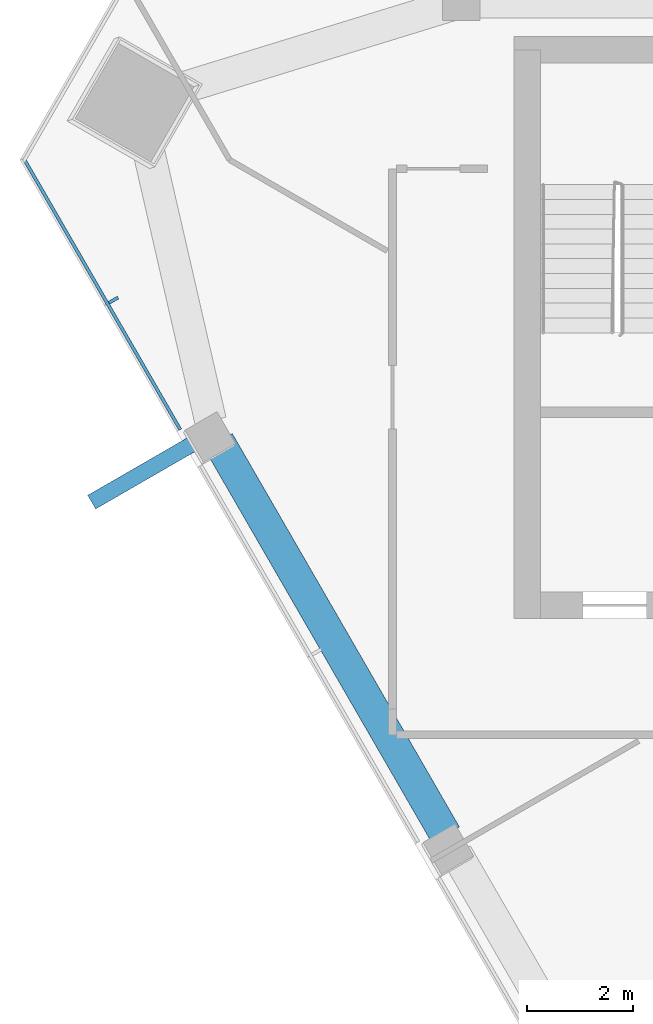
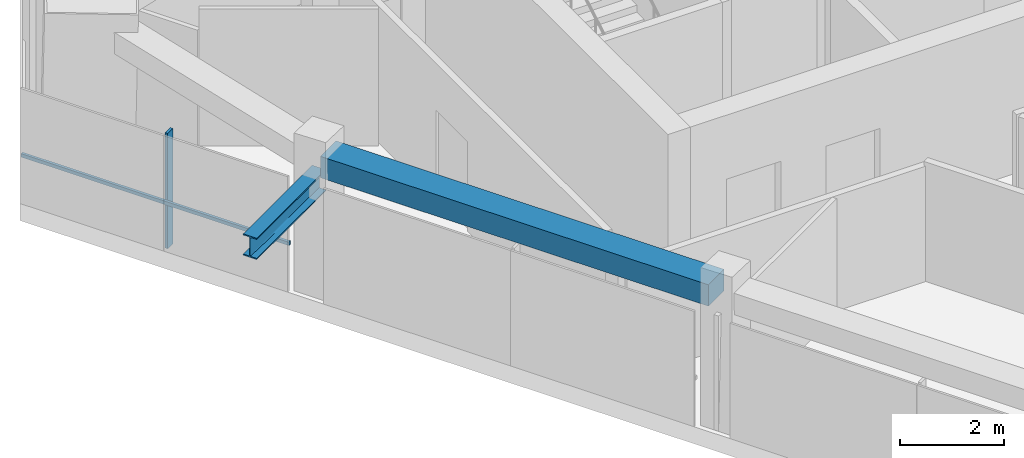
# One storey, part 3 of 9: 3 members, 1 beam, 1 element without a shape of its own.
"""IFC4 building model written with IfcOpenShell, lengths in metres."""

from ifc_helpers import new_model, si_unit, direction, frame, origin, origin_2d, place, context, subcontext, project, spatial, rectangle, i_section, extrude, material, layer, layer_set, material_profile, profile_set, type_object, element, aggregate, save


model = new_model("IFC4")

# Units and contexts
model_context = context("Model", 3, precision=1e-05, world=origin(), true_north=direction((0.0, 1.0)))
body_context = subcontext(model_context, "Body", "Model", "MODEL_VIEW")
ifc_project = project(units=[si_unit("LENGTHUNIT", "METRE"), si_unit("AREAUNIT", "SQUARE_METRE"), si_unit("VOLUMEUNIT", "CUBIC_METRE"), si_unit("PLANEANGLEUNIT", "RADIAN"), si_unit("MASSUNIT", "GRAM", prefix="KILO")], contexts=[model_context])

# Site, building, storey
site_placement = place(None, origin())
site = spatial("IfcSite", under=ifc_project, at=site_placement, CompositionType="ELEMENT")
building_placement = place(site_placement, origin())
building = spatial("IfcBuilding", under=site, at=building_placement, Name="Altiplano Prism Tower", CompositionType="ELEMENT")
storey_placement = place(building_placement, frame((0.0, 0.0, 309.39990234375)))
storey = spatial("IfcBuildingStorey", under=building, at=storey_placement, Name="L80", CompositionType="ELEMENT", Elevation=309.39990234375)

# Member
ifc_material_1 = material(Name="Steel S355", Category="steel")
ifc_material_profile_1 = material_profile(ifc_material_1, i_section(OverallWidth=0.300048828125, OverallDepth=0.5, WebThickness=0.014404296875, FlangeThickness=0.028076171875, FilletRadius=0.027099609375, at=origin_2d()), Name="Brace bracket HEB 500")
ifc_profile_set_1 = profile_set([ifc_material_profile_1], Name="Steel S355")
member_type_1 = type_object("IfcMemberType", Name="Brace bracket HEB 500", PredefinedType="STRUT", material=ifc_profile_set_1)
member_1_placement = place(storey_placement, frame((66.807861328125, 96.423095703125, 2.4365234375), z_axis=(-0.866029095148, -0.499993606316, 0.0), x_axis=(0.499993606316, -0.866029095148, 0.0)))
element("IfcMember", 1, at=member_1_placement, inside=storey, type_object=member_type_1, Name="Brace bracket 1.313", PredefinedType="STRUT", context=body_context, shape_type="SweptSolid", body=[
    extrude(i_section(OverallWidth=0.300048828125, OverallDepth=0.5, WebThickness=0.014404296875, FlangeThickness=0.028076171875, FilletRadius=0.027099609375, at=origin_2d()), origin(), (0.0, 0.0, 1.0), 2.64990234375),
])

# Curtain wall, members
ifc_material_2 = material(Name="Aluminium and glass", Category="aluminium")
ifc_layer = layer(ifc_material_2, 0.303955078125)
ifc_layer_set = layer_set([ifc_layer], Name="Aluminium and glass")
curtain_wall_type = type_object("IfcCurtainWallType", Name="CW2 lounge-band unitised glazing", PredefinedType="NOTDEFINED", material=ifc_layer_set)
curtain_wall_placement = place(storey_placement, origin())
curtain_wall = element("IfcCurtainWall", 2, at=curtain_wall_placement, inside=storey, type_object=curtain_wall_type, Name="CW2 curtain wall south-west face L80", PredefinedType="NOTDEFINED")
ifc_material_3 = material(Name="Aluminium", Category="aluminium")
ifc_material_profile_2 = material_profile(ifc_material_3, rectangle(XDim=0.199951171875, YDim=0.06005859375, at=origin_2d()), Name="CW2 mullion 60 x 200")
ifc_profile_set_2 = profile_set([ifc_material_profile_2], Name="Aluminium")
member_type_2 = type_object("IfcMemberType", Name="CW2 mullion 60 x 200", PredefinedType="MULLION", material=ifc_profile_set_2)
member_2_placement = place(storey_placement, frame((64.924560546875, 98.916015625, 0.0), z_axis=(0.0, 0.0, 1.0), x_axis=(0.866025402702, 0.500000001874, 0.0)))
member_2 = element("IfcMember", 3, at=member_2_placement, type_object=member_type_2, Name="CW2 mullion", PredefinedType="MULLION", context=body_context, shape_type="SweptSolid", body=[
    extrude(rectangle(XDim=0.199951171875, YDim=0.06005859375, at=origin_2d()), origin(), (0.0, 0.0, 1.0), 2.7001953125),
])
ifc_material_profile_3 = material_profile(ifc_material_3, rectangle(XDim=0.06005859375, YDim=0.080078125, at=origin_2d()), Name="CW2 transom 80 x 60")
ifc_profile_set_3 = profile_set([ifc_material_profile_3], Name="Aluminium")
member_type_3 = type_object("IfcMemberType", Name="CW2 transom 80 x 60", PredefinedType="USERDEFINED", material=ifc_profile_set_3)
member_3_placement = place(storey_placement, frame((63.2216796875, 101.605712890625, 1.10009765625), z_axis=(0.49998134429, -0.866036174396, 0.0), x_axis=(0.866036174396, 0.49998134429, 0.0)))
member_3 = element("IfcMember", 4, at=member_3_placement, type_object=member_type_3, Name="CW2 transom", ObjectType="TRANSOM", PredefinedType="USERDEFINED", context=body_context, shape_type="SweptSolid", body=[
    extrude(rectangle(XDim=0.06005859375, YDim=0.080078125, at=origin_2d()), origin(), (0.0, 0.0, 1.0), 5.931884765625),
])
aggregate(curtain_wall, [member_2, member_3])

# Beam
ifc_material_4 = material(Name="Concrete C60/75", Category="concrete")
ifc_material_profile_4 = material_profile(ifc_material_4, rectangle(XDim=0.60009765625, YDim=0.5, at=origin_2d()), Name="Edge beam 600x500")
ifc_profile_set_4 = profile_set([ifc_material_profile_4], Name="Concrete C60/75")
beam_type = type_object("IfcBeamType", Name="Edge beam 600x500", PredefinedType="SPANDREL", material=ifc_profile_set_4)
beam_placement = place(storey_placement, frame((66.910400390625, 96.24560546875, 2.9501953125), z_axis=(0.499990619765, -0.866030819398, 0.0), x_axis=(0.866030819398, 0.499990619765, 0.0)))
element("IfcBeam", 5, at=beam_placement, inside=storey, type_object=beam_type, Name="Edge beam P11-P12 L81", PredefinedType="SPANDREL", context=body_context, shape_type="SweptSolid", body=[
    extrude(rectangle(XDim=0.60009765625, YDim=0.5, at=origin_2d()), origin(), (0.0, 0.0, 1.0), 8.590087890625),
])

save(model, "model.ifc")
